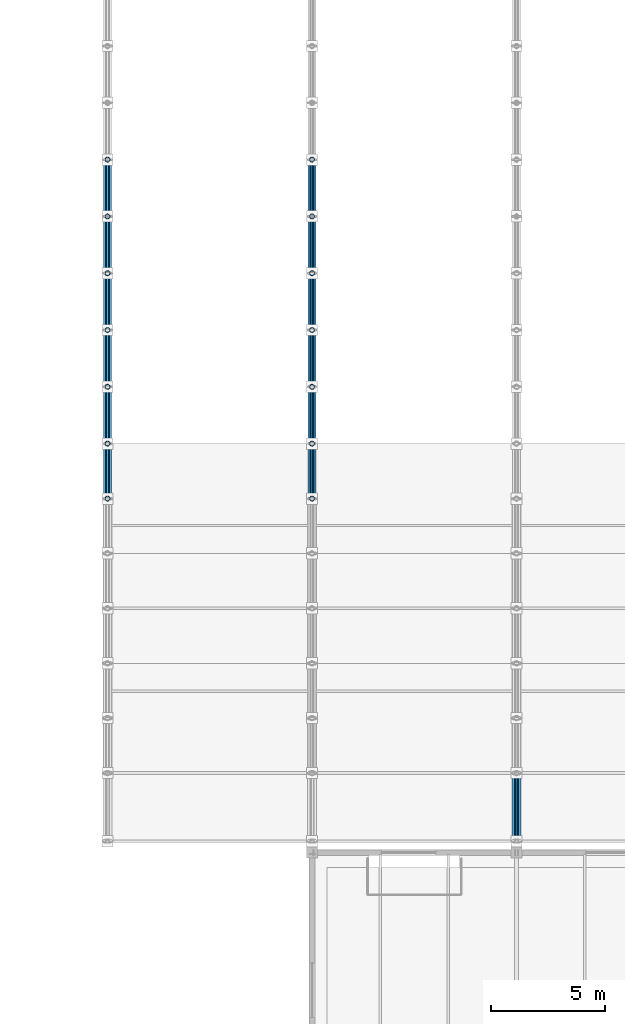
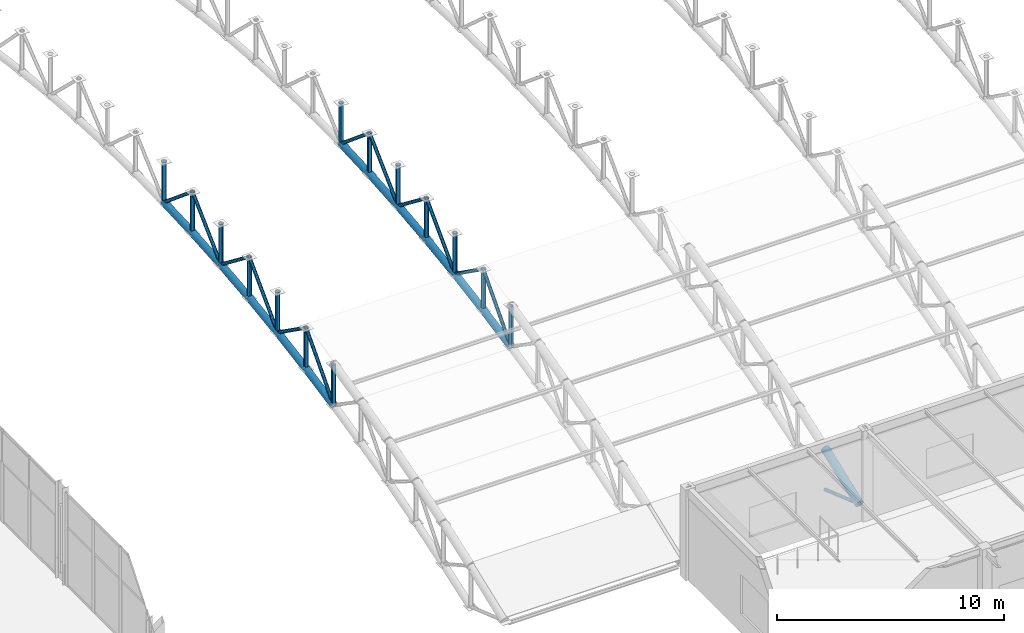
# One storey, part 69 of 195: 40 members.
"""IFC4 building model written with IfcOpenShell, lengths in metres."""

from ifc_helpers import new_model, si_unit, direction, frame, origin, origin_2d, place, context, subcontext, project, spatial, hollow_circle, extrude, material, material_profile, profile_set, type_object, element, save


model = new_model("IFC4")

# Units and contexts
model_context = context("Model", 3, precision=1e-05, world=origin(), true_north=direction((0.0, 1.0)))
body_context = subcontext(model_context, "Body", "Model", "MODEL_VIEW")
ifc_project = project(units=[si_unit("LENGTHUNIT", "METRE"), si_unit("AREAUNIT", "SQUARE_METRE"), si_unit("VOLUMEUNIT", "CUBIC_METRE"), si_unit("PLANEANGLEUNIT", "RADIAN"), si_unit("MASSUNIT", "GRAM", prefix="KILO")], contexts=[model_context])

# Site, building, storey
site_placement = place(None, origin())
site = spatial("IfcSite", under=ifc_project, at=site_placement, CompositionType="ELEMENT")
building_placement = place(site_placement, origin())
building = spatial("IfcBuilding", under=site, at=building_placement, Name="Marlcrest Central Station", CompositionType="ELEMENT")
storey_placement = place(building_placement, frame((0.0, 0.0, 9.800048828125)))
storey = spatial("IfcBuildingStorey", under=building, at=storey_placement, Name="L02", CompositionType="ELEMENT", Elevation=9.800048828125)

# Members
ifc_material = material(Name="Steel S355", Category="steel")
ifc_material_profile_1 = material_profile(ifc_material, hollow_circle(Radius=0.203125, WallThickness=0.02001953125, at=origin_2d()), Name="CHS 406.4x20")
ifc_profile_set_1 = profile_set([ifc_material_profile_1], Name="Steel S355")
member_type_1 = type_object("IfcMemberType", Name="AC-01", PredefinedType="CHORD", material=ifc_profile_set_1)
member_1_placement = place(storey_placement, frame((162.0, 33.5, 0.44580078125), z_axis=(0.0, 0.933324071143, 0.359035065453), x_axis=(-1.0, 0.0, 0.0)))
element("IfcMember", 1, at=member_1_placement, inside=storey, type_object=member_type_1, Name="mem-AC-01-L02-01322", PredefinedType="CHORD", context=body_context, shape_type="SweptSolid", body=[
    extrude(hollow_circle(Radius=0.203125, WallThickness=0.02001953125, at=origin_2d()), origin(), (0.0, 0.0, 1.0), 3.21435546875),
])
ifc_material_profile_2 = material_profile(ifc_material, hollow_circle(Radius=0.177734375, WallThickness=0.01611328125, at=origin_2d()), Name="CHS 355.6x16")
ifc_profile_set_2 = profile_set([ifc_material_profile_2], Name="Steel S355")
member_type_2 = type_object("IfcMemberType", Name="AC-02", PredefinedType="CHORD", material=ifc_profile_set_2)
member_2_placement = place(storey_placement, frame((144.0, 48.580078125, 2.9169921875), z_axis=(0.0, 0.980359417961, 0.197219196874), x_axis=(-1.0, 0.0, 0.0)))
element("IfcMember", 2, at=member_2_placement, inside=storey, type_object=member_type_2, Name="mem-AC-02-L02-01113", PredefinedType="CHORD", context=body_context, shape_type="SweptSolid", body=[
    extrude(hollow_circle(Radius=0.177734375, WallThickness=0.01611328125, at=origin_2d()), origin(), (0.0, 0.0, 1.0), 2.468505859375),
])
member_3_placement = place(storey_placement, frame((144.0, 51.0, 3.40380859375), z_axis=(0.0, 0.98574109921, 0.168269086076), x_axis=(-1.0, 0.0, 0.0)))
element("IfcMember", 3, at=member_3_placement, inside=storey, type_object=member_type_2, Name="mem-AC-02-L02-01117", PredefinedType="CHORD", context=body_context, shape_type="SweptSolid", body=[
    extrude(hollow_circle(Radius=0.177734375, WallThickness=0.01611328125, at=origin_2d()), origin(), (0.0, 0.0, 1.0), 2.5361328125),
])
member_4_placement = place(storey_placement, frame((144.0, 53.5, 3.83056640625), z_axis=(0.0, 0.990402740232, 0.138211476152), x_axis=(-1.0, 0.0, 0.0)))
element("IfcMember", 4, at=member_4_placement, inside=storey, type_object=member_type_2, Name="mem-AC-02-L02-01121", PredefinedType="CHORD", context=body_context, shape_type="SweptSolid", body=[
    extrude(hollow_circle(Radius=0.177734375, WallThickness=0.01611328125, at=origin_2d()), origin(), (0.0, 0.0, 1.0), 2.524169921875),
])
member_5_placement = place(storey_placement, frame((144.0, 56.0, 4.179443359375), z_axis=(0.0, 0.994155341034, 0.107959056565), x_axis=(-1.0, 0.0, 0.0)))
element("IfcMember", 5, at=member_5_placement, inside=storey, type_object=member_type_2, Name="mem-AC-02-L02-01125", PredefinedType="CHORD", context=body_context, shape_type="SweptSolid", body=[
    extrude(hollow_circle(Radius=0.177734375, WallThickness=0.01611328125, at=origin_2d()), origin(), (0.0, 0.0, 1.0), 2.5146484375),
])
member_6_placement = place(storey_placement, frame((144.0, 58.5, 4.450927734375), z_axis=(0.0, 0.997007334767, 0.077307014043), x_axis=(-1.0, 0.0, 0.0)))
element("IfcMember", 6, at=member_6_placement, inside=storey, type_object=member_type_2, Name="mem-AC-02-L02-01129", PredefinedType="CHORD", context=body_context, shape_type="SweptSolid", body=[
    extrude(hollow_circle(Radius=0.177734375, WallThickness=0.01611328125, at=origin_2d()), origin(), (0.0, 0.0, 1.0), 2.507568359375),
])
member_7_placement = place(storey_placement, frame((144.0, 61.0, 4.644775390625), z_axis=(0.0, 0.998916819647, 0.046531574509), x_axis=(-1.0, 0.0, 0.0)))
element("IfcMember", 7, at=member_7_placement, inside=storey, type_object=member_type_2, Name="mem-AC-02-L02-01133", PredefinedType="CHORD", context=body_context, shape_type="SweptSolid", body=[
    extrude(hollow_circle(Radius=0.177734375, WallThickness=0.01611328125, at=origin_2d()), origin(), (0.0, 0.0, 1.0), 2.502685546875),
])
member_8_placement = place(storey_placement, frame((153.0, 48.580078125, 2.9169921875), z_axis=(0.0, 0.980359417961, 0.197219196874), x_axis=(-1.0, 0.0, 0.0)))
element("IfcMember", 8, at=member_8_placement, inside=storey, type_object=member_type_2, Name="mem-AC-02-L02-01229", PredefinedType="CHORD", context=body_context, shape_type="SweptSolid", body=[
    extrude(hollow_circle(Radius=0.177734375, WallThickness=0.01611328125, at=origin_2d()), origin(), (0.0, 0.0, 1.0), 2.468505859375),
])
member_9_placement = place(storey_placement, frame((153.0, 51.0, 3.40380859375), z_axis=(0.0, 0.98574109921, 0.168269086076), x_axis=(-1.0, 0.0, 0.0)))
element("IfcMember", 9, at=member_9_placement, inside=storey, type_object=member_type_2, Name="mem-AC-02-L02-01233", PredefinedType="CHORD", context=body_context, shape_type="SweptSolid", body=[
    extrude(hollow_circle(Radius=0.177734375, WallThickness=0.01611328125, at=origin_2d()), origin(), (0.0, 0.0, 1.0), 2.5361328125),
])
member_10_placement = place(storey_placement, frame((153.0, 53.5, 3.83056640625), z_axis=(0.0, 0.990402740232, 0.138211476152), x_axis=(-1.0, 0.0, 0.0)))
element("IfcMember", 10, at=member_10_placement, inside=storey, type_object=member_type_2, Name="mem-AC-02-L02-01237", PredefinedType="CHORD", context=body_context, shape_type="SweptSolid", body=[
    extrude(hollow_circle(Radius=0.177734375, WallThickness=0.01611328125, at=origin_2d()), origin(), (0.0, 0.0, 1.0), 2.524169921875),
])
member_11_placement = place(storey_placement, frame((153.0, 56.0, 4.179443359375), z_axis=(0.0, 0.994155341034, 0.107959056565), x_axis=(-1.0, 0.0, 0.0)))
element("IfcMember", 11, at=member_11_placement, inside=storey, type_object=member_type_2, Name="mem-AC-02-L02-01241", PredefinedType="CHORD", context=body_context, shape_type="SweptSolid", body=[
    extrude(hollow_circle(Radius=0.177734375, WallThickness=0.01611328125, at=origin_2d()), origin(), (0.0, 0.0, 1.0), 2.5146484375),
])
member_12_placement = place(storey_placement, frame((153.0, 58.5, 4.450927734375), z_axis=(0.0, 0.997007334767, 0.077307014043), x_axis=(-1.0, 0.0, 0.0)))
element("IfcMember", 12, at=member_12_placement, inside=storey, type_object=member_type_2, Name="mem-AC-02-L02-01245", PredefinedType="CHORD", context=body_context, shape_type="SweptSolid", body=[
    extrude(hollow_circle(Radius=0.177734375, WallThickness=0.01611328125, at=origin_2d()), origin(), (0.0, 0.0, 1.0), 2.507568359375),
])
member_13_placement = place(storey_placement, frame((153.0, 61.0, 4.644775390625), z_axis=(0.0, 0.998916819647, 0.046531574509), x_axis=(-1.0, 0.0, 0.0)))
element("IfcMember", 13, at=member_13_placement, inside=storey, type_object=member_type_2, Name="mem-AC-02-L02-01249", PredefinedType="CHORD", context=body_context, shape_type="SweptSolid", body=[
    extrude(hollow_circle(Radius=0.177734375, WallThickness=0.01611328125, at=origin_2d()), origin(), (0.0, 0.0, 1.0), 2.502685546875),
])
ifc_material_profile_3 = material_profile(ifc_material, hollow_circle(Radius=0.084228515625, WallThickness=0.010009765625, at=origin_2d()), Name="CHS 168.3x10")
ifc_profile_set_3 = profile_set([ifc_material_profile_3], Name="Steel S355")
member_type_3 = type_object("IfcMemberType", Name="AD-01", PredefinedType="BRACE", material=ifc_profile_set_3)
member_14_placement = place(storey_placement, frame((144.0, 48.580078125, 2.9169921875), z_axis=(0.0, 0.669244457479, 0.743042297675), x_axis=(-1.0, 0.0, 0.0)))
element("IfcMember", 14, at=member_14_placement, inside=storey, type_object=member_type_3, Name="mem-AD-01-L02-01115", PredefinedType="BRACE", context=body_context, shape_type="SweptSolid", body=[
    extrude(hollow_circle(Radius=0.084228515625, WallThickness=0.010009765625, at=origin_2d()), origin(), (0.0, 0.0, 1.0), 3.615966796875),
])
member_15_placement = place(storey_placement, frame((144.0, 51.0, 5.603759765625), z_axis=(0.0, 0.815661132754, -0.57852996164), x_axis=(-1.0, 0.0, 0.0)))
element("IfcMember", 15, at=member_15_placement, inside=storey, type_object=member_type_3, Name="mem-AD-01-L02-01119", PredefinedType="BRACE", context=body_context, shape_type="SweptSolid", body=[
    extrude(hollow_circle(Radius=0.084228515625, WallThickness=0.010009765625, at=origin_2d()), origin(), (0.0, 0.0, 1.0), 3.06494140625),
])
member_16_placement = place(storey_placement, frame((144.0, 53.5, 3.83056640625), z_axis=(0.0, 0.70023547796, 0.713911952139), x_axis=(-1.0, 0.0, 0.0)))
element("IfcMember", 16, at=member_16_placement, inside=storey, type_object=member_type_3, Name="mem-AD-01-L02-01123", PredefinedType="BRACE", context=body_context, shape_type="SweptSolid", body=[
    extrude(hollow_circle(Radius=0.084228515625, WallThickness=0.010009765625, at=origin_2d()), origin(), (0.0, 0.0, 1.0), 3.5703125),
])
member_17_placement = place(storey_placement, frame((144.0, 56.0, 6.37939453125), z_axis=(0.0, 0.791798282026, -0.610782678684), x_axis=(-1.0, 0.0, 0.0)))
element("IfcMember", 17, at=member_17_placement, inside=storey, type_object=member_type_3, Name="mem-AD-01-L02-01127", PredefinedType="BRACE", context=body_context, shape_type="SweptSolid", body=[
    extrude(hollow_circle(Radius=0.084228515625, WallThickness=0.010009765625, at=origin_2d()), origin(), (0.0, 0.0, 1.0), 3.157470703125),
])
member_18_placement = place(storey_placement, frame((144.0, 58.5, 4.450927734375), z_axis=(0.0, 0.722246537655, 0.691635698071), x_axis=(-1.0, 0.0, 0.0)))
element("IfcMember", 18, at=member_18_placement, inside=storey, type_object=member_type_3, Name="mem-AD-01-L02-01131", PredefinedType="BRACE", context=body_context, shape_type="SweptSolid", body=[
    extrude(hollow_circle(Radius=0.084228515625, WallThickness=0.010009765625, at=origin_2d()), origin(), (0.0, 0.0, 1.0), 3.46142578125),
])
member_19_placement = place(storey_placement, frame((144.0, 61.0, 6.844970703125), z_axis=(0.0, 0.768159787854, -0.640258182552), x_axis=(-1.0, 0.0, 0.0)))
element("IfcMember", 19, at=member_19_placement, inside=storey, type_object=member_type_3, Name="mem-AD-01-L02-01135", PredefinedType="BRACE", context=body_context, shape_type="SweptSolid", body=[
    extrude(hollow_circle(Radius=0.084228515625, WallThickness=0.010009765625, at=origin_2d()), origin(), (0.0, 0.0, 1.0), 3.254638671875),
])
member_20_placement = place(storey_placement, frame((153.0, 48.580078125, 2.9169921875), z_axis=(0.0, 0.669244457479, 0.743042297675), x_axis=(-1.0, 0.0, 0.0)))
element("IfcMember", 20, at=member_20_placement, inside=storey, type_object=member_type_3, Name="mem-AD-01-L02-01231", PredefinedType="BRACE", context=body_context, shape_type="SweptSolid", body=[
    extrude(hollow_circle(Radius=0.084228515625, WallThickness=0.010009765625, at=origin_2d()), origin(), (0.0, 0.0, 1.0), 3.615966796875),
])
member_21_placement = place(storey_placement, frame((153.0, 51.0, 5.603759765625), z_axis=(0.0, 0.815661132754, -0.57852996164), x_axis=(-1.0, 0.0, 0.0)))
element("IfcMember", 21, at=member_21_placement, inside=storey, type_object=member_type_3, Name="mem-AD-01-L02-01235", PredefinedType="BRACE", context=body_context, shape_type="SweptSolid", body=[
    extrude(hollow_circle(Radius=0.084228515625, WallThickness=0.010009765625, at=origin_2d()), origin(), (0.0, 0.0, 1.0), 3.06494140625),
])
member_22_placement = place(storey_placement, frame((153.0, 53.5, 3.83056640625), z_axis=(0.0, 0.70023547796, 0.713911952139), x_axis=(-1.0, 0.0, 0.0)))
element("IfcMember", 22, at=member_22_placement, inside=storey, type_object=member_type_3, Name="mem-AD-01-L02-01239", PredefinedType="BRACE", context=body_context, shape_type="SweptSolid", body=[
    extrude(hollow_circle(Radius=0.084228515625, WallThickness=0.010009765625, at=origin_2d()), origin(), (0.0, 0.0, 1.0), 3.5703125),
])
member_23_placement = place(storey_placement, frame((153.0, 56.0, 6.37939453125), z_axis=(0.0, 0.791798282026, -0.610782678684), x_axis=(-1.0, 0.0, 0.0)))
element("IfcMember", 23, at=member_23_placement, inside=storey, type_object=member_type_3, Name="mem-AD-01-L02-01243", PredefinedType="BRACE", context=body_context, shape_type="SweptSolid", body=[
    extrude(hollow_circle(Radius=0.084228515625, WallThickness=0.010009765625, at=origin_2d()), origin(), (0.0, 0.0, 1.0), 3.157470703125),
])
member_24_placement = place(storey_placement, frame((153.0, 58.5, 4.450927734375), z_axis=(0.0, 0.722246537655, 0.691635698071), x_axis=(-1.0, 0.0, 0.0)))
element("IfcMember", 24, at=member_24_placement, inside=storey, type_object=member_type_3, Name="mem-AD-01-L02-01247", PredefinedType="BRACE", context=body_context, shape_type="SweptSolid", body=[
    extrude(hollow_circle(Radius=0.084228515625, WallThickness=0.010009765625, at=origin_2d()), origin(), (0.0, 0.0, 1.0), 3.46142578125),
])
member_25_placement = place(storey_placement, frame((153.0, 61.0, 6.844970703125), z_axis=(0.0, 0.768159787854, -0.640258182552), x_axis=(-1.0, 0.0, 0.0)))
element("IfcMember", 25, at=member_25_placement, inside=storey, type_object=member_type_3, Name="mem-AD-01-L02-01251", PredefinedType="BRACE", context=body_context, shape_type="SweptSolid", body=[
    extrude(hollow_circle(Radius=0.084228515625, WallThickness=0.010009765625, at=origin_2d()), origin(), (0.0, 0.0, 1.0), 3.254638671875),
])
member_26_placement = place(storey_placement, frame((162.0, 36.5, -0.60009765625), z_axis=(0.0, -0.944260188635, 0.329200085296), x_axis=(1.0, 0.0, 0.0)))
element("IfcMember", 26, at=member_26_placement, inside=storey, type_object=member_type_3, Name="mem-AD-01-L02-01323", PredefinedType="BRACE", context=body_context, shape_type="SweptSolid", body=[
    extrude(hollow_circle(Radius=0.084228515625, WallThickness=0.010009765625, at=origin_2d()), origin(), (0.0, 0.0, 1.0), 3.177001953125),
])
ifc_material_profile_4 = material_profile(ifc_material, hollow_circle(Radius=0.109619140625, WallThickness=0.012451171875, at=origin_2d()), Name="CHS 219.1x12.5")
ifc_profile_set_4 = profile_set([ifc_material_profile_4], Name="Steel S355")
member_type_4 = type_object("IfcMemberType", Name="AP-01", PredefinedType="POST", material=ifc_profile_set_4)
for number, where, z_axis, x_axis, name in (
    (27, (144.0, 48.580078125, 2.9169921875), (0.0, 0.0, 1.0), (1.0, 0.0, 0.0), "mem-AP-01-L02-01114"),
    (28, (144.0, 51.0, 3.40380859375), (0.0, 0.0, 1.0), (1.0, 0.0, 0.0), "mem-AP-01-L02-01118"),
    (29, (144.0, 53.5, 3.83056640625), (0.0, 0.0, 1.0), (1.0, 0.0, 0.0), "mem-AP-01-L02-01122"),
    (30, (144.0, 56.0, 4.179443359375), (0.0, 0.0, 1.0), (1.0, 0.0, 0.0), "mem-AP-01-L02-01126"),
    (31, (144.0, 58.5, 4.450927734375), (0.0, 0.0, 1.0), (1.0, 0.0, 0.0), "mem-AP-01-L02-01130"),
):
    element("IfcMember", number, at=place(storey_placement, frame(where, z_axis=z_axis, x_axis=x_axis)), inside=storey, type_object=member_type_4, Name=name, PredefinedType="POST", context=body_context, shape_type="SweptSolid", body=[
        extrude(hollow_circle(Radius=0.109619140625, WallThickness=0.012451171875, at=origin_2d()), origin(), (0.0, 0.0, 1.0), 2.199951171875),
    ])
member_27_placement = place(storey_placement, frame((144.0, 61.0, 4.644775390625), z_axis=(0.0, 0.0, 1.0), x_axis=(1.0, 0.0, 0.0)))
element("IfcMember", 32, at=member_27_placement, inside=storey, type_object=member_type_4, Name="mem-AP-01-L02-01134", PredefinedType="POST", context=body_context, shape_type="SweptSolid", body=[
    extrude(hollow_circle(Radius=0.109619140625, WallThickness=0.012451171875, at=origin_2d()), origin(), (0.0, 0.0, 1.0), 2.2001953125),
])
for number, where, z_axis, x_axis, name in (
    (33, (144.0, 63.5, 4.76123046875), (0.0, 0.0, 1.0), (1.0, 0.0, 0.0), "mem-AP-01-L02-01138"),
    (34, (153.0, 48.580078125, 2.9169921875), (0.0, 0.0, 1.0), (1.0, 0.0, 0.0), "mem-AP-01-L02-01230"),
    (35, (153.0, 51.0, 3.40380859375), (0.0, 0.0, 1.0), (1.0, 0.0, 0.0), "mem-AP-01-L02-01234"),
    (36, (153.0, 53.5, 3.83056640625), (0.0, 0.0, 1.0), (1.0, 0.0, 0.0), "mem-AP-01-L02-01238"),
    (37, (153.0, 56.0, 4.179443359375), (0.0, 0.0, 1.0), (1.0, 0.0, 0.0), "mem-AP-01-L02-01242"),
    (38, (153.0, 58.5, 4.450927734375), (0.0, 0.0, 1.0), (1.0, 0.0, 0.0), "mem-AP-01-L02-01246"),
):
    element("IfcMember", number, at=place(storey_placement, frame(where, z_axis=z_axis, x_axis=x_axis)), inside=storey, type_object=member_type_4, Name=name, PredefinedType="POST", context=body_context, shape_type="SweptSolid", body=[
        extrude(hollow_circle(Radius=0.109619140625, WallThickness=0.012451171875, at=origin_2d()), origin(), (0.0, 0.0, 1.0), 2.199951171875),
    ])
member_28_placement = place(storey_placement, frame((153.0, 61.0, 4.644775390625), z_axis=(0.0, 0.0, 1.0), x_axis=(1.0, 0.0, 0.0)))
element("IfcMember", 39, at=member_28_placement, inside=storey, type_object=member_type_4, Name="mem-AP-01-L02-01250", PredefinedType="POST", context=body_context, shape_type="SweptSolid", body=[
    extrude(hollow_circle(Radius=0.109619140625, WallThickness=0.012451171875, at=origin_2d()), origin(), (0.0, 0.0, 1.0), 2.2001953125),
])
member_29_placement = place(storey_placement, frame((153.0, 63.5, 4.76123046875), z_axis=(0.0, 0.0, 1.0), x_axis=(1.0, 0.0, 0.0)))
element("IfcMember", 40, at=member_29_placement, inside=storey, type_object=member_type_4, Name="mem-AP-01-L02-01254", PredefinedType="POST", context=body_context, shape_type="SweptSolid", body=[
    extrude(hollow_circle(Radius=0.109619140625, WallThickness=0.012451171875, at=origin_2d()), origin(), (0.0, 0.0, 1.0), 2.199951171875),
])

save(model, "model.ifc")
